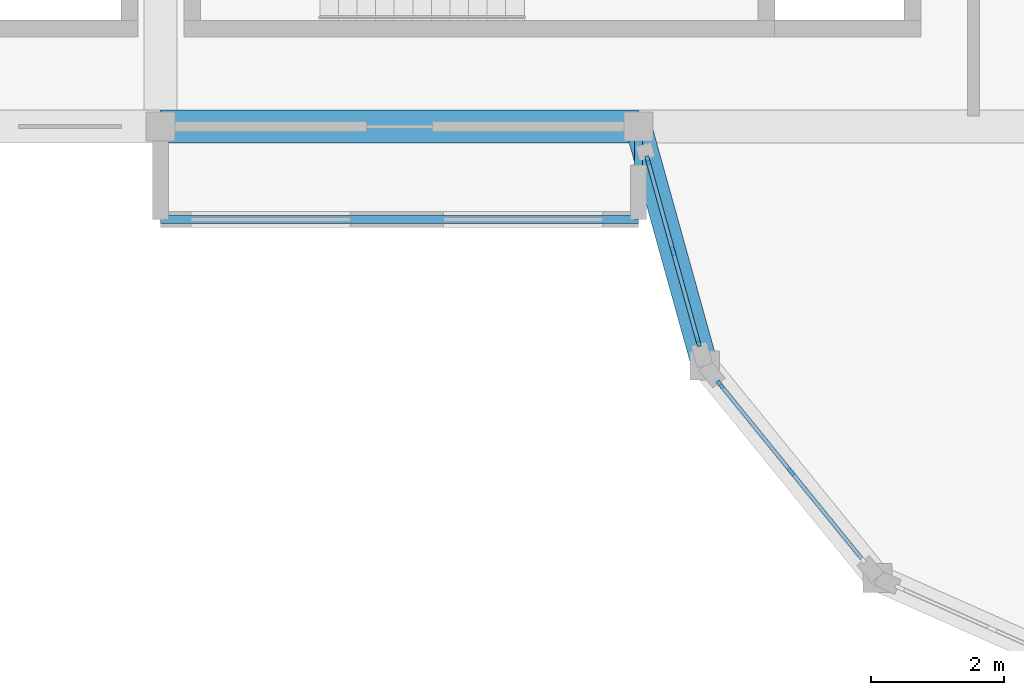
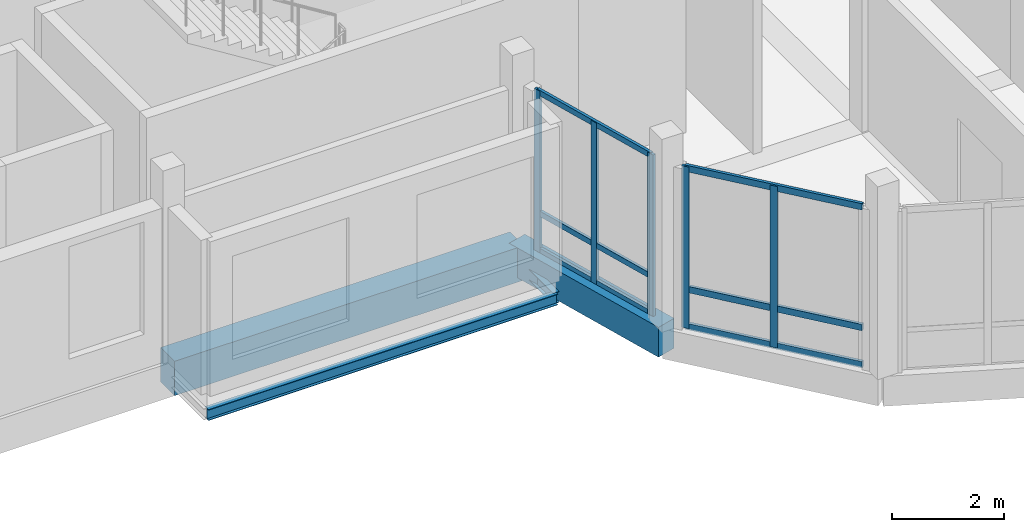
# One storey, part 34 of 99: 11 members, 4 beams, 2 elements without a shape of their own.
"""IFC4 building model written with IfcOpenShell, lengths in metres."""

import ifcopenshell
import ifcopenshell.guid

model = None  # the IFC model being written
_history = None  # IfcOwnerHistory: only IFC2X3 demands one
_inside = {}  # id of a spatial element -> (the spatial element, [elements in it])
_under = {}  # id of a project, library or spatial element -> (it, [spatial elements below it])
_declared = {}  # id of a project -> (the project, [libraries it declares])
_typed = {}  # id of a type object -> (the type object, [elements of that type])
_made_of = {}  # id of a material, layer set ... -> (it, [elements and type objects made of it])


def new_model(schema):
    """Start an empty IFC model of exactly this schema.

    Asked for "IFC4X3", IfcOpenShell would pick the latest addendum, in which some entities
    have other attributes; the version numbers below select the first issue.
    IFC2X3 requires an IfcOwnerHistory on every rooted entity: one is made here for all.
    """
    global model, _history
    if schema == "IFC4X3":
        model = ifcopenshell.file(schema_version=(4, 3, 0, 0))
    else:
        model = ifcopenshell.file(schema=schema)
    _inside.clear()
    _under.clear()
    _declared.clear()
    _typed.clear()
    _made_of.clear()
    _history = None
    if model.schema == "IFC2X3":
        org = make("IfcOrganization", Name="unknown")
        user = make(
            "IfcPersonAndOrganization",
            ThePerson=make("IfcPerson", FamilyName="unknown"),
            TheOrganization=org,
        )
        app = make(
            "IfcApplication",
            ApplicationDeveloper=org,
            Version="unknown",
            ApplicationFullName="unknown",
            ApplicationIdentifier="unknown",
        )
        _history = make(
            "IfcOwnerHistory",
            OwningUser=user,
            OwningApplication=app,
            ChangeAction="ADDED",
            CreationDate=0,
        )
    return model


def make(cls, **values):
    """One entity of the class cls with the attributes given. An attribute that is None is left unset."""
    return model.create_entity(
        cls, **{name: value for name, value in values.items() if value is not None}
    )


def rooted(cls, **values):
    """An entity with a GlobalId (a new one), such as an element, a storey or a relation."""
    return make(cls, GlobalId=ifcopenshell.guid.new(), OwnerHistory=_history, **values)


def si_unit(unit_type, name, prefix=None):
    """IfcSIUnit, for example si_unit("LENGTHUNIT", "METRE", prefix="MILLI")."""
    return make("IfcSIUnit", UnitType=unit_type, Prefix=prefix, Name=name)


def assignment(units):
    """IfcUnitAssignment: the units of a project."""
    return None if units is None else make("IfcUnitAssignment", Units=units)


def point(xyz):
    """IfcCartesianPoint."""
    return None if xyz is None else make("IfcCartesianPoint", Coordinates=xyz)


def direction(xyz):
    """IfcDirection."""
    return None if xyz is None else make("IfcDirection", DirectionRatios=xyz)


def frame(location, z_axis=None, x_axis=None):
    """IfcAxis2Placement3D, a coordinate frame: its origin and axes. An axis left out is left unset."""
    return make(
        "IfcAxis2Placement3D",
        Location=point(location),
        Axis=direction(z_axis),
        RefDirection=direction(x_axis),
    )


def frame_2d(location, x_axis=None):
    """IfcAxis2Placement2D, a coordinate frame in the plane: its origin and x axis."""
    return make(
        "IfcAxis2Placement2D", Location=point(location), RefDirection=direction(x_axis)
    )


def origin():
    """The frame at (0, 0, 0) with its axes left unset."""
    return frame((0.0, 0.0, 0.0))


def origin_2d():
    """The frame at (0, 0) in the plane with its x axis left unset."""
    return frame_2d((0.0, 0.0))


def place(relative_to, where):
    """IfcLocalPlacement: puts the frame where relative to a parent placement (None: the world)."""
    return make(
        "IfcLocalPlacement", PlacementRelTo=relative_to, RelativePlacement=where
    )


def context(
    kind, dimensions, precision=None, world=None, true_north=None, identifier=None
):
    """IfcGeometricRepresentationContext, for example the 3D "Model" context."""
    return make(
        "IfcGeometricRepresentationContext",
        ContextIdentifier=identifier,
        ContextType=kind,
        CoordinateSpaceDimension=dimensions,
        Precision=precision,
        WorldCoordinateSystem=world,
        TrueNorth=true_north,
    )


def subcontext(parent, identifier, kind, view, scale=None):
    """IfcGeometricRepresentationSubContext, for example "Body" below "Model"."""
    return make(
        "IfcGeometricRepresentationSubContext",
        ContextIdentifier=identifier,
        ContextType=kind,
        ParentContext=parent,
        TargetScale=scale,
        TargetView=view,
    )


def project(units=None, contexts=None):
    """IfcProject with its units and contexts."""
    return rooted(
        "IfcProject",
        Name="project",
        RepresentationContexts=contexts,
        UnitsInContext=assignment(units),
    )


def spatial(cls, under=None, at=None, **own):
    """A site, building, storey or space (cls), placed at a placement, below another one or the project."""
    s = rooted(cls, ObjectPlacement=at, **own)
    if under is not None:
        _under.setdefault(under.id(), (under, []))[1].append(s)
    return s


def profile(cls, at=None, kind="AREA", **sizes):
    """A parametric profile (cls). Its sizes go by their IFC names, for example OverallWidth=200.0."""
    return make(cls, ProfileType=kind, Position=at, **sizes)


def rectangle(**sizes):
    """IfcRectangleProfileDef."""
    return profile("IfcRectangleProfileDef", **sizes)


def i_section(**sizes):
    """IfcIShapeProfileDef."""
    return profile("IfcIShapeProfileDef", **sizes)


def extrude(swept, where, along, depth):
    """IfcExtrudedAreaSolid: the profile swept, set in the frame where, extruded along a direction by depth."""
    return make(
        "IfcExtrudedAreaSolid",
        SweptArea=swept,
        Position=where,
        ExtrudedDirection=direction(along),
        Depth=depth,
    )


def shape(context_of_items, identifier, shape_type, items):
    """IfcShapeRepresentation: the items that make up one representation, for example the "Body"."""
    return make(
        "IfcShapeRepresentation",
        ContextOfItems=context_of_items,
        RepresentationIdentifier=identifier,
        RepresentationType=shape_type,
        Items=items,
    )


def material(Name=None, Category=None):
    """IfcMaterial."""
    return make("IfcMaterial", Name=Name, Category=Category)


def material_profile(
    of_material, cross_section, Name=None, Category=None, Priority=None
):
    """IfcMaterialProfile: a cross section and its material."""
    return make(
        "IfcMaterialProfile",
        Name=Name,
        Material=of_material,
        Profile=cross_section,
        Priority=Priority,
        Category=Category,
    )


def profile_set(profiles, Name=None, composite=None):
    """IfcMaterialProfileSet."""
    return make(
        "IfcMaterialProfileSet",
        Name=Name,
        MaterialProfiles=profiles,
        CompositeProfile=composite,
    )


def made_of(thing, what):
    """Note that an element or type object is made of a material, layer set ...; save() writes the relation."""
    if what is not None:
        _made_of.setdefault(what.id(), (what, []))[1].append(thing)
    return thing


def type_object(cls, material=None, **own):
    """A type object (cls), such as IfcWallType, which elements share."""
    return made_of(rooted(cls, **own), material)


def element(
    cls,
    number,
    at=None,
    inside=None,
    cuts=None,
    type_object=None,
    material=None,
    context=None,
    identifier="Body",
    shape_type=None,
    held_by="IfcProductDefinitionShape",
    body=None,
    shapes=None,
    **own,
):
    """One element of the class cls, such as IfcWall. Its Tag is "e" and its number.

    at: its placement. inside: the storey or other place that contains it. cuts: it is an
    opening in that element (IfcRelVoidsElement). A single representation is given by context,
    identifier, shape_type and body (its items); several are given by shapes. held_by: the class
    of the entity that holds the representations. save() writes the other relations.
    """
    e = rooted(cls, Tag="e%d" % number, ObjectPlacement=at, **own)
    if body is not None:
        shapes = [shape(context, identifier, shape_type, body)]
    if shapes is not None:
        e.Representation = make(held_by, Representations=shapes)
    if inside is not None:
        _inside.setdefault(inside.id(), (inside, []))[1].append(e)
    if cuts is not None:
        rooted(
            "IfcRelVoidsElement", RelatingBuildingElement=cuts, RelatedOpeningElement=e
        )
    if type_object is not None:
        _typed.setdefault(type_object.id(), (type_object, []))[1].append(e)
    return made_of(e, material)


def aggregate(whole, parts):
    """IfcRelAggregates: a whole, such as a stair, and the parts it consists of."""
    return rooted("IfcRelAggregates", RelatingObject=whole, RelatedObjects=parts)


def save(model, path):
    """Write the relations noted so far, then the file.

    IfcRelAggregates (storeys below a building ...), IfcRelContainedInSpatialStructure (elements
    in a storey), IfcRelDefinesByType, IfcRelAssociatesMaterial and IfcRelDeclares: one each for
    every whole, place, type object, material and project.
    """
    for whole, parts in _under.values():
        aggregate(whole, parts)
    for where, things in _inside.values():
        rooted(
            "IfcRelContainedInSpatialStructure",
            RelatedElements=things,
            RelatingStructure=where,
        )
    for kind, things in _typed.values():
        rooted("IfcRelDefinesByType", RelatedObjects=things, RelatingType=kind)
    for what, things in _made_of.values():
        rooted("IfcRelAssociatesMaterial", RelatedObjects=things, RelatingMaterial=what)
    for by, libraries in _declared.values():
        rooted("IfcRelDeclares", RelatingContext=by, RelatedDefinitions=libraries)
    model.write(path)


model = new_model("IFC4")

# Units and contexts
model_context = context("Model", 3, precision=1e-05, world=origin(), true_north=direction((0.0, 1.0)))
body_context = subcontext(model_context, "Body", "Model", "MODEL_VIEW")
ifc_project = project(units=[si_unit("LENGTHUNIT", "METRE"), si_unit("AREAUNIT", "SQUARE_METRE"), si_unit("VOLUMEUNIT", "CUBIC_METRE"), si_unit("PLANEANGLEUNIT", "RADIAN"), si_unit("MASSUNIT", "GRAM", prefix="KILO")], contexts=[model_context])

# Site, building, storey
site_placement = place(None, origin())
site = spatial("IfcSite", under=ifc_project, at=site_placement, CompositionType="ELEMENT")
building_placement = place(site_placement, origin())
building = spatial("IfcBuilding", under=site, at=building_placement, Name="Kahlenmark Community Centre", CompositionType="ELEMENT")
storey_placement = place(building_placement, frame((0.0, 0.0, 5.39990234375)))
storey = spatial("IfcBuildingStorey", under=building, at=storey_placement, Name="L01", CompositionType="ELEMENT", Elevation=5.39990234375)

# Beams
ifc_material_1 = material(Name="Steel S355", Category="steel")
ifc_material_profile_1 = material_profile(ifc_material_1, i_section(OverallWidth=0.1201171875, OverallDepth=0.239990234375, WebThickness=0.006103515625, FlangeThickness=0.009765625, at=origin_2d()), Name="IPE 240")
ifc_profile_set_1 = profile_set([ifc_material_profile_1], Name="Steel S355")
beam_type_1 = type_object("IfcBeamType", Name="BT-BEAM-IPE240", PredefinedType="BEAM", material=ifc_profile_set_1)
beam_1_placement = place(storey_placement, frame((65.199951171875, 96.199951171875, -0.43994140625), z_axis=(0.0, 1.0, 0.0), x_axis=(-1.0, 0.0, 0.0)))
element("IfcBeam", 1, at=beam_1_placement, inside=storey, type_object=beam_type_1, Name="L01 beam BG-IPE240", PredefinedType="BEAM", context=body_context, shape_type="SweptSolid", body=[
    extrude(i_section(OverallWidth=0.1201171875, OverallDepth=0.239990234375, WebThickness=0.006103515625, FlangeThickness=0.009765625, at=origin_2d()), origin(), (0.0, 0.0, 1.0), 1.400146484375),
])
ifc_material_profile_2 = material_profile(ifc_material_1, i_section(OverallWidth=0.1201171875, OverallDepth=0.239990234375, WebThickness=0.006103515625, FlangeThickness=0.009765625, at=origin_2d()), Name="IPE 240")
ifc_profile_set_2 = profile_set([ifc_material_profile_2], Name="Steel S355")
beam_type_2 = type_object("IfcBeamType", Name="BT-SPANDREL-IPE240", PredefinedType="SPANDREL", material=ifc_profile_set_2)
beam_2_placement = place(storey_placement, frame((58.0, 96.199951171875, -0.43994140625), z_axis=(1.0, 0.0, 0.0), x_axis=(0.0, 1.0, 0.0)))
element("IfcBeam", 2, at=beam_2_placement, inside=storey, type_object=beam_type_2, Name="L01 spandrel SP-IPE240", PredefinedType="SPANDREL", context=body_context, shape_type="SweptSolid", body=[
    extrude(i_section(OverallWidth=0.1201171875, OverallDepth=0.239990234375, WebThickness=0.006103515625, FlangeThickness=0.009765625, at=origin_2d()), origin(), (0.0, 0.0, 1.0), 7.199951171875),
])
ifc_material_2 = material(Name="Concrete C35/45", Category="concrete")
ifc_material_profile_3 = material_profile(ifc_material_2, rectangle(XDim=0.39990234375, YDim=0.64990234375, at=origin_2d()), Name="RC 400x650")
ifc_profile_set_3 = profile_set([ifc_material_profile_3], Name="Concrete C35/45")
beam_type_3 = type_object("IfcBeamType", Name="BT-SPANDREL-RC400x650", PredefinedType="SPANDREL", material=ifc_profile_set_3)
beam_3_placement = place(storey_placement, frame((65.199951171875, 97.60009765625, -0.324951171875), z_axis=(0.267637123724, -0.963519781844, 0.0), x_axis=(0.963519781844, 0.267637123724, 0.0)))
element("IfcBeam", 3, at=beam_3_placement, inside=storey, type_object=beam_type_3, Name="L01 spandrel SP-RC400x650", PredefinedType="SPANDREL", context=body_context, shape_type="SweptSolid", body=[
    extrude(rectangle(XDim=0.39990234375, YDim=0.64990234375, at=origin_2d()), origin(), (0.0, 0.0, 1.0), 3.736328125),
])
ifc_material_profile_4 = material_profile(ifc_material_2, rectangle(XDim=0.5, YDim=0.75, at=origin_2d()), Name="RC 500x750")
ifc_profile_set_4 = profile_set([ifc_material_profile_4], Name="Concrete C35/45")
beam_type_4 = type_object("IfcBeamType", Name="BT-SPANDREL-RC500x750", PredefinedType="SPANDREL", material=ifc_profile_set_4)
beam_4_placement = place(storey_placement, frame((58.0, 97.60009765625, -0.375), z_axis=(1.0, 0.0, 0.0), x_axis=(0.0, 1.0, 0.0)))
element("IfcBeam", 4, at=beam_4_placement, inside=storey, type_object=beam_type_4, Name="L01 spandrel SP-RC500x750", PredefinedType="SPANDREL", context=body_context, shape_type="SweptSolid", body=[
    extrude(rectangle(XDim=0.5, YDim=0.75, at=origin_2d()), origin(), (0.0, 0.0, 1.0), 7.199951171875),
])

# Curtain wall, members
ifc_material_3 = material(Name="Anodised aluminium unitised curtain wall", Category="aluminium")
curtain_wall_type_1 = type_object("IfcCurtainWallType", Name="CWT-UNIT-290X352", PredefinedType="USERDEFINED", material=ifc_material_3)
curtain_wall_1_placement = place(storey_placement, origin())
curtain_wall_1 = element("IfcCurtainWall", 5, at=curtain_wall_1_placement, inside=storey, type_object=curtain_wall_type_1, Name="Unitised curtain wall CW-176", ObjectType="UNITISED CURTAIN WALL", PredefinedType="USERDEFINED")
ifc_material_4 = material(Name="Anodised aluminium 6063-T6", Category="aluminium")
ifc_material_profile_5 = material_profile(ifc_material_4, rectangle(XDim=0.06005859375, YDim=0.139892578125, at=origin_2d()), Name="ALU MULLION 60x140")
ifc_profile_set_5 = profile_set([ifc_material_profile_5], Name="Anodised aluminium 6063-T6")
member_type_1 = type_object("IfcMemberType", Name="MT-MUL-140", PredefinedType="MULLION", material=ifc_profile_set_5)
member_1_placement = place(storey_placement, frame((65.341796875, 97.08935546875, 0.0), z_axis=(0.0, 0.0, 1.0), x_axis=(0.963515158188, 0.26765376878, 0.0)))
member_1 = element("IfcMember", 6, at=member_1_placement, type_object=member_type_1, Name="CW-176 mullion 1", PredefinedType="MULLION", context=body_context, shape_type="SweptSolid", body=[
    extrude(rectangle(XDim=0.06005859375, YDim=0.139892578125, at=origin_2d()), origin(), (0.0, 0.0, 1.0), 3.52001953125),
])
member_2_placement = place(storey_placement, frame((65.721435546875, 95.722900390625, 0.0), z_axis=(0.0, 0.0, 1.0), x_axis=(0.963515158188, 0.26765376878, 0.0)))
member_2 = element("IfcMember", 7, at=member_2_placement, type_object=member_type_1, Name="CW-176 mullion 2", PredefinedType="MULLION", context=body_context, shape_type="SweptSolid", body=[
    extrude(rectangle(XDim=0.06005859375, YDim=0.139892578125, at=origin_2d()), origin(), (0.0, 0.0, 1.0), 3.52001953125),
])
member_3_placement = place(storey_placement, frame((66.10107421875, 94.3564453125, 0.0), z_axis=(0.0, 0.0, 1.0), x_axis=(0.963515158188, 0.26765376878, 0.0)))
member_3 = element("IfcMember", 8, at=member_3_placement, type_object=member_type_1, Name="CW-176 mullion 3", PredefinedType="MULLION", context=body_context, shape_type="SweptSolid", body=[
    extrude(rectangle(XDim=0.06005859375, YDim=0.139892578125, at=origin_2d()), origin(), (0.0, 0.0, 1.0), 3.52001953125),
])

curtain_wall_type_2 = type_object("IfcCurtainWallType", Name="CWT-UNIT-344X352", PredefinedType="USERDEFINED", material=ifc_material_3)
curtain_wall_2_placement = place(storey_placement, origin())
curtain_wall_2 = element("IfcCurtainWall", 9, at=curtain_wall_2_placement, inside=storey, type_object=curtain_wall_type_2, Name="Unitised curtain wall CW-177", ObjectType="UNITISED CURTAIN WALL", PredefinedType="USERDEFINED")
member_4_placement = place(storey_placement, frame((66.433349609375, 93.712890625, 0.0), z_axis=(0.0, 0.0, 1.0), x_axis=(0.776109145231, 0.63059860029, 0.0)))
member_4 = element("IfcMember", 10, at=member_4_placement, type_object=member_type_1, Name="CW-177 mullion 1", PredefinedType="MULLION", context=body_context, shape_type="SweptSolid", body=[
    extrude(rectangle(XDim=0.06005859375, YDim=0.139892578125, at=origin_2d()), origin(), (0.0, 0.0, 1.0), 3.52001953125),
])
member_5_placement = place(storey_placement, frame((67.5, 92.39990234375, 0.0), z_axis=(0.0, 0.0, 1.0), x_axis=(0.776109145231, 0.63059860029, 0.0)))
member_5 = element("IfcMember", 11, at=member_5_placement, type_object=member_type_1, Name="CW-177 mullion 2", PredefinedType="MULLION", context=body_context, shape_type="SweptSolid", body=[
    extrude(rectangle(XDim=0.06005859375, YDim=0.139892578125, at=origin_2d()), origin(), (0.0, 0.0, 1.0), 3.52001953125),
])

# Member
ifc_material_profile_6 = material_profile(ifc_material_4, rectangle(XDim=0.06005859375, YDim=0.1201171875, at=origin_2d()), Name="ALU TRANSOM 60x120")
ifc_profile_set_6 = profile_set([ifc_material_profile_6], Name="Anodised aluminium 6063-T6")
member_type_2 = type_object("IfcMemberType", Name="MT-TRN-120", PredefinedType="USERDEFINED", material=ifc_profile_set_6)
member_6_placement = place(storey_placement, frame((65.341796875, 97.08935546875, 0.0400390625), z_axis=(0.267688256657, -0.963505577175, 0.0), x_axis=(0.963505577175, 0.267688256657, 0.0)))
member_6 = element("IfcMember", 12, at=member_6_placement, type_object=member_type_2, Name="CW-176 transom 1", ObjectType="TRANSOM", PredefinedType="USERDEFINED", context=body_context, shape_type="SweptSolid", body=[
    extrude(rectangle(XDim=0.06005859375, YDim=0.1201171875, at=origin_2d()), origin(), (0.0, 0.0, 1.0), 2.83642578125),
])

member_7_placement = place(storey_placement, frame((65.341796875, 97.08935546875, 0.85009765625), z_axis=(0.267688256657, -0.963505577175, 0.0), x_axis=(0.963505577175, 0.267688256657, 0.0)))
member_7 = element("IfcMember", 13, at=member_7_placement, type_object=member_type_2, Name="CW-176 transom 2", ObjectType="TRANSOM", PredefinedType="USERDEFINED", context=body_context, shape_type="SweptSolid", body=[
    extrude(rectangle(XDim=0.06005859375, YDim=0.1201171875, at=origin_2d()), origin(), (0.0, 0.0, 1.0), 2.83642578125),
])

member_8_placement = place(storey_placement, frame((65.341796875, 97.08935546875, 3.47998046875), z_axis=(0.267688256657, -0.963505577175, 0.0), x_axis=(0.963505577175, 0.267688256657, 0.0)))
member_8 = element("IfcMember", 14, at=member_8_placement, type_object=member_type_2, Name="CW-176 transom 3", ObjectType="TRANSOM", PredefinedType="USERDEFINED", context=body_context, shape_type="SweptSolid", body=[
    extrude(rectangle(XDim=0.06005859375, YDim=0.1201171875, at=origin_2d()), origin(), (0.0, 0.0, 1.0), 2.83642578125),
])

aggregate(curtain_wall_1, [member_1, member_2, member_3, member_6, member_7, member_8])

ifc_material_profile_7 = material_profile(ifc_material_4, rectangle(XDim=0.06005859375, YDim=0.139892578125, at=origin_2d()), Name="ALU TRANSOM 60x140")
ifc_profile_set_7 = profile_set([ifc_material_profile_7], Name="Anodised aluminium 6063-T6")
member_type_3 = type_object("IfcMemberType", Name="MT-TRN-140", PredefinedType="USERDEFINED", material=ifc_profile_set_7)
member_9_placement = place(storey_placement, frame((66.433349609375, 93.712890625, 0.0400390625), z_axis=(0.630573607431, -0.776129451581, 0.0), x_axis=(0.776129451581, 0.630573607431, 0.0)))
member_9 = element("IfcMember", 15, at=member_9_placement, type_object=member_type_3, Name="CW-177 transom 1", ObjectType="TRANSOM", PredefinedType="USERDEFINED", context=body_context, shape_type="SweptSolid", body=[
    extrude(rectangle(XDim=0.06005859375, YDim=0.139892578125, at=origin_2d()), origin(), (0.0, 0.0, 1.0), 3.383056640625),
])

member_10_placement = place(storey_placement, frame((66.433349609375, 93.712890625, 0.85009765625), z_axis=(0.630573607431, -0.776129451581, 0.0), x_axis=(0.776129451581, 0.630573607431, 0.0)))
member_10 = element("IfcMember", 16, at=member_10_placement, type_object=member_type_3, Name="CW-177 transom 2", ObjectType="TRANSOM", PredefinedType="USERDEFINED", context=body_context, shape_type="SweptSolid", body=[
    extrude(rectangle(XDim=0.06005859375, YDim=0.139892578125, at=origin_2d()), origin(), (0.0, 0.0, 1.0), 3.383056640625),
])

member_11_placement = place(storey_placement, frame((66.433349609375, 93.712890625, 3.47998046875), z_axis=(0.630573607431, -0.776129451581, 0.0), x_axis=(0.776129451581, 0.630573607431, 0.0)))
member_11 = element("IfcMember", 17, at=member_11_placement, type_object=member_type_3, Name="CW-177 transom 3", ObjectType="TRANSOM", PredefinedType="USERDEFINED", context=body_context, shape_type="SweptSolid", body=[
    extrude(rectangle(XDim=0.06005859375, YDim=0.139892578125, at=origin_2d()), origin(), (0.0, 0.0, 1.0), 3.383056640625),
])

aggregate(curtain_wall_2, [member_4, member_5, member_9, member_10, member_11])

save(model, "model.ifc")
